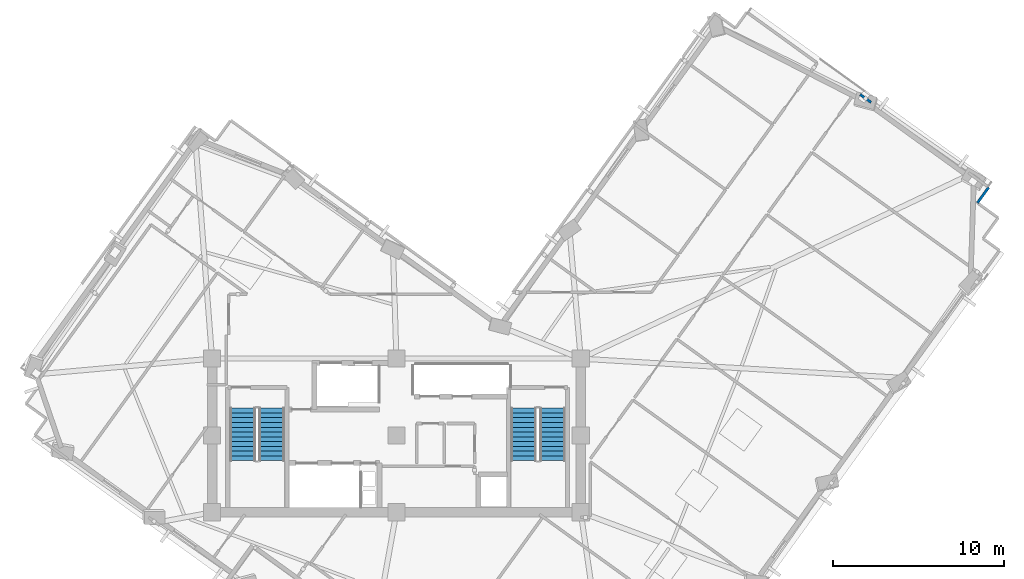
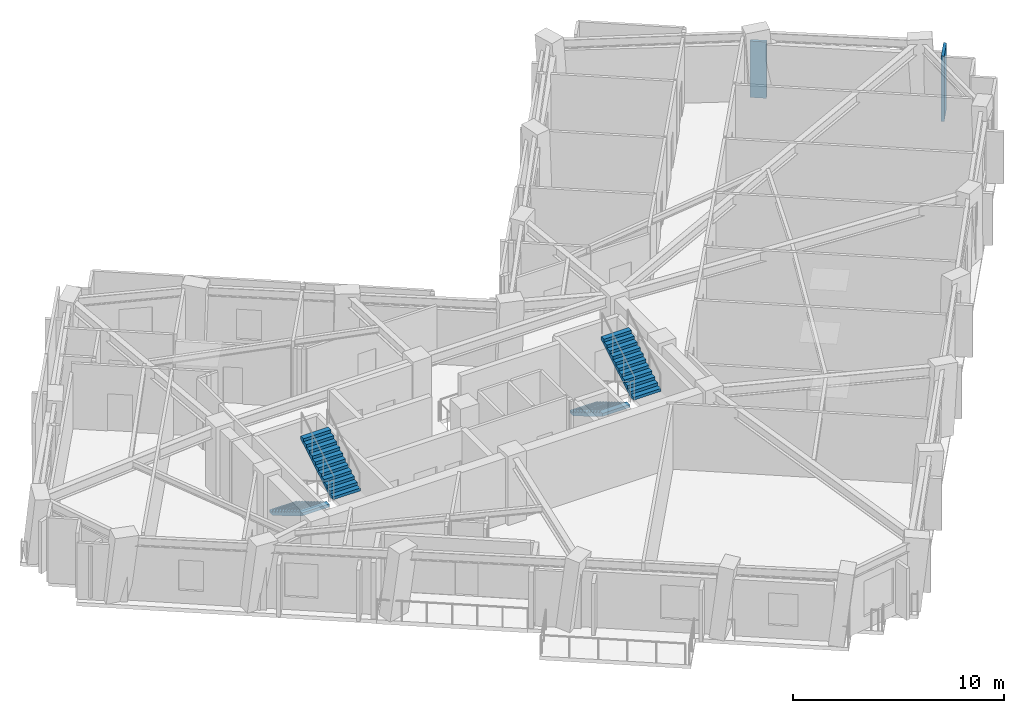
# One storey, part 8 of 13: 4 stair flights, 2 walls, 2 elements without a shape of their own.
"""IFC4 building model written with IfcOpenShell, lengths in metres."""

from ifc_helpers import new_model, si_unit, direction, frame, frame_2d, origin, place, context, subcontext, project, spatial, polyline, rectangle, outline, extrude, material, layer, layer_set, type_object, element, aggregate, save


model = new_model("IFC4")

# Units and contexts
model_context = context("Model", 3, precision=1e-05, world=origin(), true_north=direction((0.0, 1.0)))
body_context = subcontext(model_context, "Body", "Model", "MODEL_VIEW")
ifc_project = project(units=[si_unit("LENGTHUNIT", "METRE"), si_unit("AREAUNIT", "SQUARE_METRE"), si_unit("VOLUMEUNIT", "CUBIC_METRE"), si_unit("PLANEANGLEUNIT", "RADIAN"), si_unit("MASSUNIT", "GRAM", prefix="KILO")], contexts=[model_context])

# Site, building, storey
site_placement = place(None, origin())
site = spatial("IfcSite", under=ifc_project, at=site_placement, CompositionType="ELEMENT")
building_placement = place(site_placement, origin())
building = spatial("IfcBuilding", under=site, at=building_placement, Name="Gaonmaruhae Medical Tower", CompositionType="ELEMENT")
storey_placement = place(building_placement, frame((0.0, 0.0, 255.199951171875)))
storey = spatial("IfcBuildingStorey", under=building, at=storey_placement, Name="L61", CompositionType="ELEMENT", Elevation=255.199951171875)

# Walls
ifc_material_1 = material(Name="Gypsum board partition", Category="gypsum")
ifc_layer = layer(ifc_material_1, 0.14990234375)
ifc_layer_set = layer_set([ifc_layer], Name="Gypsum board partition")
wall_type = type_object("IfcWallType", Name="PW-150 Rated Clinical Corridor Partition", PredefinedType="PARTITIONING", material=ifc_layer_set)
wall_1_placement = place(storey_placement, frame((51.971923828125, 32.277099609375, 0.0), z_axis=(0.0, 0.0, 1.0), x_axis=(0.810572713007, -0.585638008439, 0.0)))
element("IfcWall", 1, at=wall_1_placement, inside=storey, type_object=wall_type, Name="L61 Interior Partition L61-SUP10-30", PredefinedType="PARTITIONING", context=body_context, shape_type="SweptSolid", body=[
    extrude(rectangle(XDim=0.785888671875, YDim=0.14990234375, at=frame_2d((0.39306640625, 0.0))), origin(), (0.0, 0.0, 1.0), 3.26513671875),
])
wall_2_placement = place(storey_placement, frame((59.5, 26.8369140625, 0.0), z_axis=(0.0, 0.0, 1.0), x_axis=(-0.586055810718, -0.810270687316, 0.0)))
element("IfcWall", 2, at=wall_2_placement, inside=storey, type_object=wall_type, Name="L61 Interior Partition L61-SUP10-32", PredefinedType="PARTITIONING", context=body_context, shape_type="SweptSolid", body=[
    extrude(rectangle(XDim=1.119384765625, YDim=0.14990234375, at=frame_2d((0.5595703125, 0.0))), origin(), (0.0, 0.0, 1.0), 3.780029296875),
])

# Stair, stair flights
ifc_material_2 = material(Name="Concrete C40/50", Category="concrete")
stair_type = type_object("IfcStairType", Name="ST-T1 Primary Core Escape Dogleg Stair", PredefinedType="TWO_QUARTER_TURN_STAIR", material=ifc_material_2)
stair_1_placement = place(storey_placement, origin())
stair_1 = element("IfcStair", 3, at=stair_1_placement, inside=storey, type_object=stair_type, Name="L61 Protected Escape Stair ST-01", PredefinedType="TWO_QUARTER_TURN_STAIR")
stair_flight_type = type_object("IfcStairFlightType", Name="SF-T1 Primary Core Precast Stair Flight", PredefinedType="STRAIGHT", material=ifc_material_2)
stair_flight_1_placement = place(storey_placement, frame((15.800048828125, 13.89990234375, 0.0), z_axis=(0.0, 0.0, 1.0), x_axis=(0.0, -1.0, 0.0)))
stair_flight_1 = element("IfcStairFlight", 4, at=stair_flight_1_placement, type_object=stair_flight_type, Name="ST-01 flight 1", NumberOfRisers=12, NumberOfTreads=11, PredefinedType="STRAIGHT", RiserHeight=0.166666667, TreadLength=0.28, context=body_context, shape_type="SweptSolid", body=[
    extrude(outline(polyline([(0.0, 0.0), (0.0, 0.166748046875), (0.280029296875, 0.166748046875), (0.280029296875, 0.333251953125), (0.56005859375, 0.333251953125), (0.56005859375, 0.5), (0.840087890625, 0.5), (0.840087890625, 0.666748046875), (1.1201171875, 0.666748046875), (1.1201171875, 0.833251953125), (1.39990234375, 0.833251953125), (1.39990234375, 1.0), (1.679931640625, 1.0), (1.679931640625, 1.166748046875), (1.9599609375, 1.166748046875), (1.9599609375, 1.333251953125), (2.239990234375, 1.333251953125), (2.239990234375, 1.5), (2.52001953125, 1.5), (2.52001953125, 1.666748046875), (2.800048828125, 1.666748046875), (2.800048828125, 1.833251953125), (3.080078125, 1.833251953125), (3.080078125, 2.0), (3.080078125, 1.658935546875), (0.29296875, 0.0), (0.0, 0.0)])), frame((0.0, 0.75, 0.0), z_axis=(0.0, -1.0, 0.0), x_axis=(1.0, 0.0, 0.0)), (0.0, 0.0, 1.0), 1.5),
])
stair_flight_2_placement = place(storey_placement, frame((17.5, 10.820068359375, 2.0), z_axis=(0.0, 0.0, 1.0), x_axis=(0.0, 1.0, 0.0)))
stair_flight_2 = element("IfcStairFlight", 5, at=stair_flight_2_placement, type_object=stair_flight_type, Name="ST-01 flight 2", NumberOfRisers=12, NumberOfTreads=11, PredefinedType="STRAIGHT", RiserHeight=0.166666667, TreadLength=0.28, context=body_context, shape_type="SweptSolid", body=[
    extrude(outline(polyline([(0.0, 0.0), (0.0, 0.166748046875), (0.280029296875, 0.166748046875), (0.280029296875, 0.333251953125), (0.56005859375, 0.333251953125), (0.56005859375, 0.5), (0.840087890625, 0.5), (0.840087890625, 0.666748046875), (1.1201171875, 0.666748046875), (1.1201171875, 0.833251953125), (1.39990234375, 0.833251953125), (1.39990234375, 1.0), (1.679931640625, 1.0), (1.679931640625, 1.166748046875), (1.9599609375, 1.166748046875), (1.9599609375, 1.333251953125), (2.239990234375, 1.333251953125), (2.239990234375, 1.5), (2.52001953125, 1.5), (2.52001953125, 1.666748046875), (2.800048828125, 1.666748046875), (2.800048828125, 1.833251953125), (3.080078125, 1.833251953125), (3.080078125, 2.0), (3.080078125, 1.658935546875), (0.29296875, 0.0), (0.0, 0.0)])), frame((0.0, 0.75, 0.0), z_axis=(0.0, -1.0, 0.0), x_axis=(1.0, 0.0, 0.0)), (0.0, 0.0, 1.0), 1.5),
])
aggregate(stair_1, [stair_flight_1, stair_flight_2])

stair_2_placement = place(storey_placement, origin())
stair_2 = element("IfcStair", 6, at=stair_2_placement, inside=storey, type_object=stair_type, Name="L61 Protected Escape Stair ST-02", PredefinedType="TWO_QUARTER_TURN_STAIR")
stair_flight_3_placement = place(storey_placement, frame((32.25, 13.89990234375, 0.0), z_axis=(0.0, 0.0, 1.0), x_axis=(0.0, -1.0, 0.0)))
stair_flight_3 = element("IfcStairFlight", 7, at=stair_flight_3_placement, type_object=stair_flight_type, Name="ST-02 flight 1", NumberOfRisers=12, NumberOfTreads=11, PredefinedType="STRAIGHT", RiserHeight=0.166666667, TreadLength=0.28, context=body_context, shape_type="SweptSolid", body=[
    extrude(outline(polyline([(0.0, 0.0), (0.0, 0.166748046875), (0.280029296875, 0.166748046875), (0.280029296875, 0.333251953125), (0.56005859375, 0.333251953125), (0.56005859375, 0.5), (0.840087890625, 0.5), (0.840087890625, 0.666748046875), (1.1201171875, 0.666748046875), (1.1201171875, 0.833251953125), (1.39990234375, 0.833251953125), (1.39990234375, 1.0), (1.679931640625, 1.0), (1.679931640625, 1.166748046875), (1.9599609375, 1.166748046875), (1.9599609375, 1.333251953125), (2.239990234375, 1.333251953125), (2.239990234375, 1.5), (2.52001953125, 1.5), (2.52001953125, 1.666748046875), (2.800048828125, 1.666748046875), (2.800048828125, 1.833251953125), (3.080078125, 1.833251953125), (3.080078125, 2.0), (3.080078125, 1.658935546875), (0.29296875, 0.0), (0.0, 0.0)])), frame((0.0, 0.75, 0.0), z_axis=(0.0, -1.0, 0.0), x_axis=(1.0, 0.0, 0.0)), (0.0, 0.0, 1.0), 1.5),
])
stair_flight_4_placement = place(storey_placement, frame((33.949951171875, 10.820068359375, 2.0), z_axis=(0.0, 0.0, 1.0), x_axis=(0.0, 1.0, 0.0)))
stair_flight_4 = element("IfcStairFlight", 8, at=stair_flight_4_placement, type_object=stair_flight_type, Name="ST-02 flight 2", NumberOfRisers=12, NumberOfTreads=11, PredefinedType="STRAIGHT", RiserHeight=0.166666667, TreadLength=0.28, context=body_context, shape_type="SweptSolid", body=[
    extrude(outline(polyline([(0.0, 0.0), (0.0, 0.166748046875), (0.280029296875, 0.166748046875), (0.280029296875, 0.333251953125), (0.56005859375, 0.333251953125), (0.56005859375, 0.5), (0.840087890625, 0.5), (0.840087890625, 0.666748046875), (1.1201171875, 0.666748046875), (1.1201171875, 0.833251953125), (1.39990234375, 0.833251953125), (1.39990234375, 1.0), (1.679931640625, 1.0), (1.679931640625, 1.166748046875), (1.9599609375, 1.166748046875), (1.9599609375, 1.333251953125), (2.239990234375, 1.333251953125), (2.239990234375, 1.5), (2.52001953125, 1.5), (2.52001953125, 1.666748046875), (2.800048828125, 1.666748046875), (2.800048828125, 1.833251953125), (3.080078125, 1.833251953125), (3.080078125, 2.0), (3.080078125, 1.658935546875), (0.29296875, 0.0), (0.0, 0.0)])), frame((0.0, 0.75, 0.0), z_axis=(0.0, -1.0, 0.0), x_axis=(1.0, 0.0, 0.0)), (0.0, 0.0, 1.0), 1.5),
])
aggregate(stair_2, [stair_flight_3, stair_flight_4])

save(model, "model.ifc")
